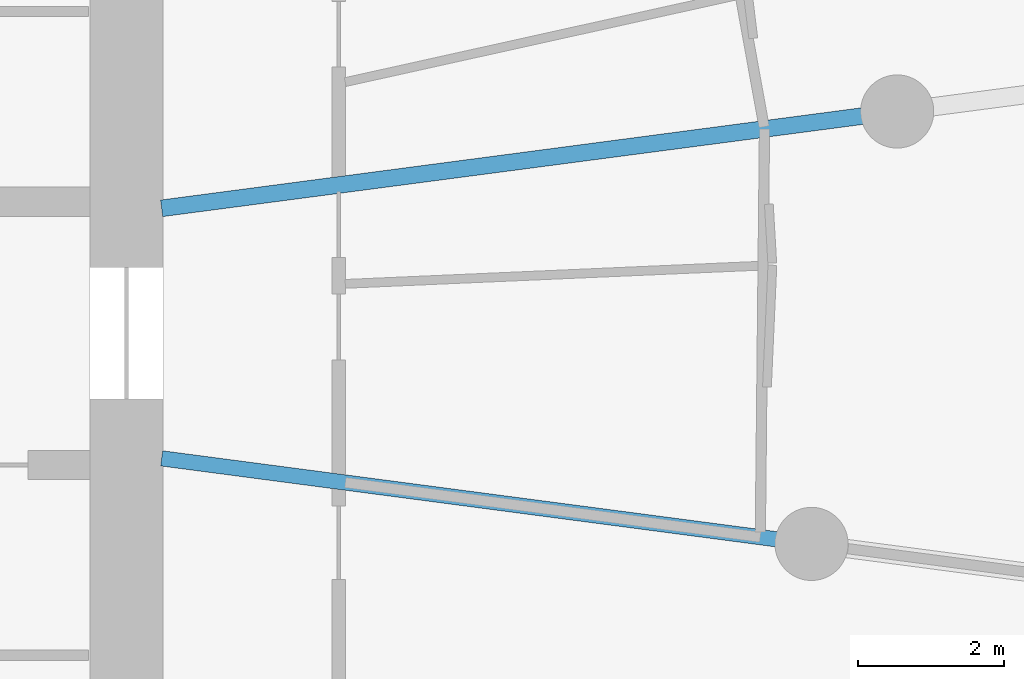
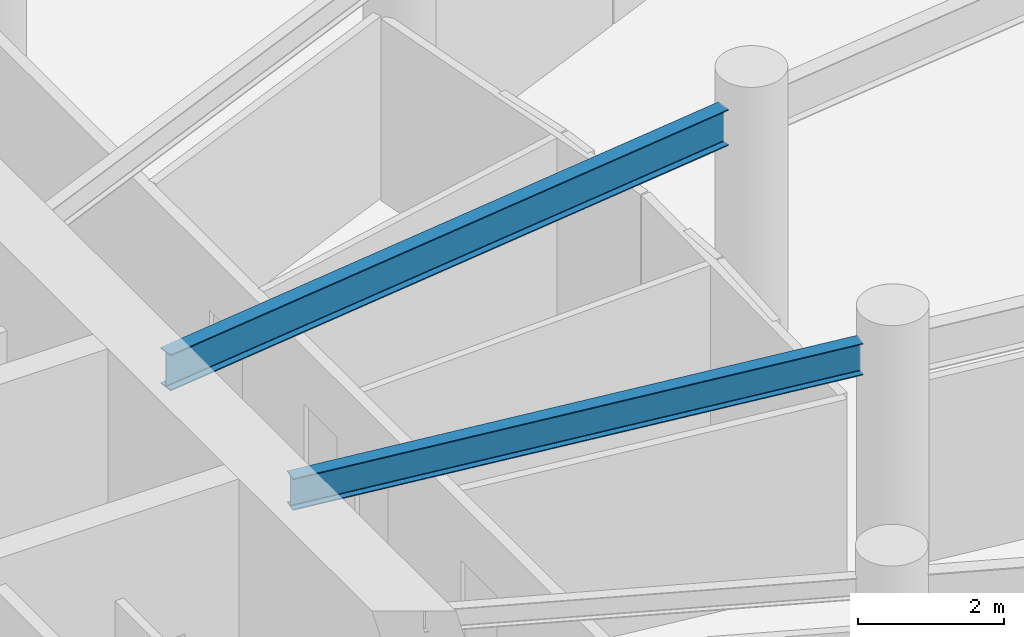
# One storey, part 5 of 19: 2 beams.
"""IFC4 building model written with IfcOpenShell, lengths in metres."""

from ifc_helpers import new_model, si_unit, direction, frame, origin, origin_2d, place, context, subcontext, project, spatial, i_section, extrude, source, transform, mapped, material, material_profile, profile_set, type_object, element, save


model = new_model("IFC4")

# Units and contexts
model_context = context("Model", 3, precision=1e-05, world=origin(), true_north=direction((0.0, 1.0)))
body_context = subcontext(model_context, "Body", "Model", "MODEL_VIEW")
ifc_project = project(units=[si_unit("LENGTHUNIT", "METRE"), si_unit("AREAUNIT", "SQUARE_METRE"), si_unit("VOLUMEUNIT", "CUBIC_METRE"), si_unit("PLANEANGLEUNIT", "RADIAN"), si_unit("MASSUNIT", "GRAM", prefix="KILO")], contexts=[model_context])

# Site, building, storey
site_placement = place(None, origin())
site = spatial("IfcSite", under=ifc_project, at=site_placement, CompositionType="ELEMENT")
building_placement = place(site_placement, origin())
building = spatial("IfcBuilding", under=site, at=building_placement, Name="Spindrift Exchange Tower", CompositionType="ELEMENT")
storey_placement = place(building_placement, frame((0.0, 0.0, 27.0)))
storey = spatial("IfcBuildingStorey", under=building, at=storey_placement, Name="L06", CompositionType="ELEMENT", Elevation=27.0)

# Beams
ifc_material = material(Name="Steel Grade 300", Category="steel")
ifc_material_profile_1 = material_profile(ifc_material, i_section(OverallWidth=0.22802734375, OverallDepth=0.60693359375, WebThickness=0.01123046875, FlangeThickness=0.017333984375, FilletRadius=0.013916015625, at=origin_2d()), Name="610UB113")
ifc_profile_set_1 = profile_set([ifc_material_profile_1], Name="Steel Grade 300")
beam_type_1 = type_object("IfcBeamType", Name="Floor Beam 610UB113 Steel Grade 300", PredefinedType="BEAM", material=ifc_profile_set_1)
shared_shape_1 = source(origin(), body_context, "Body", "SweptSolid", [
    extrude(i_section(OverallWidth=0.22802734375, OverallDepth=0.60693359375, WebThickness=0.01123046875, FlangeThickness=0.017333984375, FilletRadius=0.013916015625, at=origin_2d()), origin(), (0.0, 0.0, 1.0), 9.660400390625),
])
beam_1_placement = place(storey_placement, frame((64.980224609375, 49.708984375, 3.646484375), z_axis=(0.99144767089, 0.130504850054, 0.0), x_axis=(-0.130504850054, 0.99144767089, 0.0)))
element("IfcBeam", 1, at=beam_1_placement, inside=storey, type_object=beam_type_1, Name="L06 radial beam R01A", PredefinedType="BEAM", context=body_context, shape_type="MappedRepresentation", body=[
    mapped(shared_shape_1, transform((0.0, 0.0, 0.0), scale=1.0)),
])
ifc_material_profile_2 = material_profile(ifc_material, i_section(OverallWidth=0.208984375, OverallDepth=0.532958984375, WebThickness=0.01025390625, FlangeThickness=0.015625, FilletRadius=0.013916015625, at=origin_2d()), Name="530UB92.4")
ifc_profile_set_2 = profile_set([ifc_material_profile_2], Name="Steel Grade 300")
beam_type_2 = type_object("IfcBeamType", Name="Floor Beam 530UB92.4 Steel Grade 300", PredefinedType="BEAM", material=ifc_profile_set_2)
shared_shape_2 = source(origin(), body_context, "Body", "SweptSolid", [
    extrude(i_section(OverallWidth=0.208984375, OverallDepth=0.532958984375, WebThickness=0.01025390625, FlangeThickness=0.015625, FilletRadius=0.013916015625, at=origin_2d()), origin(), (0.0, 0.0, 1.0), 8.4794921875),
])
beam_2_placement = place(storey_placement, frame((64.980224609375, 46.291015625, 3.68359375), z_axis=(0.991446551951, -0.13051335037, 0.0), x_axis=(0.13051335037, 0.991446551951, 0.0)))
element("IfcBeam", 2, at=beam_2_placement, inside=storey, type_object=beam_type_2, Name="L06 radial beam R24A", PredefinedType="BEAM", context=body_context, shape_type="MappedRepresentation", body=[
    mapped(shared_shape_2, transform((0.0, 0.0, 0.0), scale=1.0)),
])

save(model, "model.ifc")
